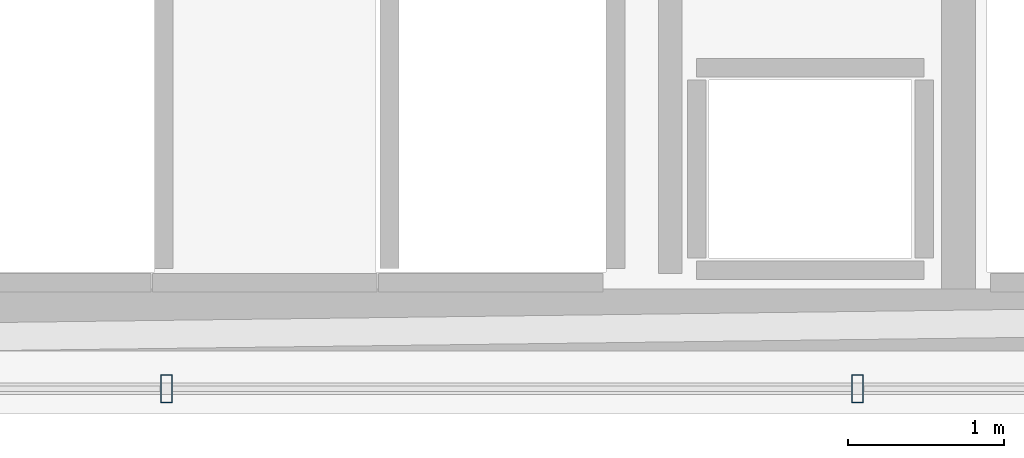
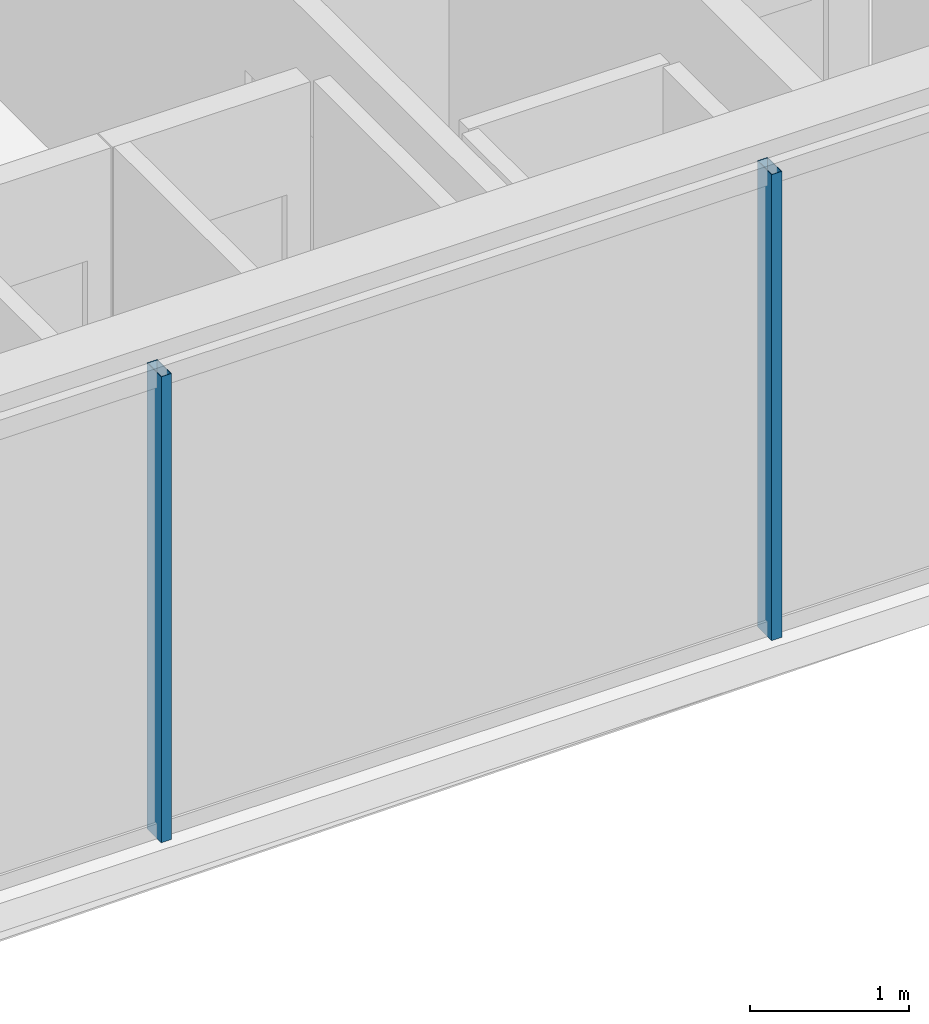
# One storey, part 11 of 35: 2 members, 1 element without a shape of its own.
"""IFC4 building model written with IfcOpenShell, lengths in metres."""

from ifc_helpers import new_model, si_unit, direction, frame, origin, origin_2d, place, context, subcontext, project, spatial, hollow_rectangle, extrude, material, layer, layer_set, material_profile, profile_set, type_object, element, aggregate, save


model = new_model("IFC4")

# Units and contexts
model_context = context("Model", 3, precision=1e-05, world=origin(), true_north=direction((0.0, 1.0)))
body_context = subcontext(model_context, "Body", "Model", "MODEL_VIEW")
ifc_project = project(units=[si_unit("LENGTHUNIT", "METRE"), si_unit("AREAUNIT", "SQUARE_METRE"), si_unit("VOLUMEUNIT", "CUBIC_METRE"), si_unit("PLANEANGLEUNIT", "RADIAN"), si_unit("MASSUNIT", "GRAM", prefix="KILO")], contexts=[model_context])

# Site, building, storey
site_placement = place(None, origin())
site = spatial("IfcSite", under=ifc_project, at=site_placement, CompositionType="ELEMENT")
building_placement = place(site_placement, origin())
building = spatial("IfcBuilding", under=site, at=building_placement, Name="Ndaravel Arena Tower", CompositionType="ELEMENT")
storey_placement = place(building_placement, frame((0.0, 0.0, 271.199951171875)))
storey = spatial("IfcBuildingStorey", under=building, at=storey_placement, Name="L66", CompositionType="ELEMENT", Elevation=271.199951171875)

# Curtain wall, members
ifc_material_1 = material(Name="Aluminium", Category="aluminium")
ifc_layer = layer(ifc_material_1, 0.179931640625)
ifc_layer_set = layer_set([ifc_layer], Name="Aluminium")
curtain_wall_type = type_object("IfcCurtainWallType", Name="CW-SYS-03", PredefinedType="NOTDEFINED", material=ifc_layer_set)
curtain_wall_placement = place(storey_placement, origin())
curtain_wall = element("IfcCurtainWall", 1, at=curtain_wall_placement, inside=storey, type_object=curtain_wall_type, Name="L66 Faceted Crystal Curtain Wall CW-L66-E01", PredefinedType="NOTDEFINED")
ifc_material_2 = material(Name="Aluminium", Category="aluminium")
ifc_material_profile = material_profile(ifc_material_2, hollow_rectangle(XDim=0.074951171875, YDim=0.179931640625, WallThickness=0.00390625, at=origin_2d()), Name="CW MULLION 75x180x4")
ifc_profile_set = profile_set([ifc_material_profile], Name="Aluminium")
member_type = type_object("IfcMemberType", Name="MEM-CW-MUL180", PredefinedType="MULLION", material=ifc_profile_set)
member_1_placement = place(storey_placement, frame((44.2177734375, 5.159912109375, 0.0), z_axis=(0.0, 0.0, 1.0), x_axis=(1.0, 0.0, 0.0)))
member_1 = element("IfcMember", 2, at=member_1_placement, type_object=member_type, Name="CW-L66-E01 Mullion 05", PredefinedType="MULLION", context=body_context, shape_type="SweptSolid", body=[
    extrude(hollow_rectangle(XDim=0.074951171875, YDim=0.179931640625, WallThickness=0.00390625, at=origin_2d()), origin(), (0.0, 0.0, 1.0), 3.580078125),
])
member_2_placement = place(storey_placement, frame((48.653076171875, 5.159912109375, 0.0), z_axis=(0.0, 0.0, 1.0), x_axis=(1.0, 0.0, 0.0)))
member_2 = element("IfcMember", 3, at=member_2_placement, type_object=member_type, Name="CW-L66-E01 Mullion 06", PredefinedType="MULLION", context=body_context, shape_type="SweptSolid", body=[
    extrude(hollow_rectangle(XDim=0.074951171875, YDim=0.179931640625, WallThickness=0.00390625, at=origin_2d()), origin(), (0.0, 0.0, 1.0), 3.580078125),
])
aggregate(curtain_wall, [member_1, member_2])

save(model, "model.ifc")
